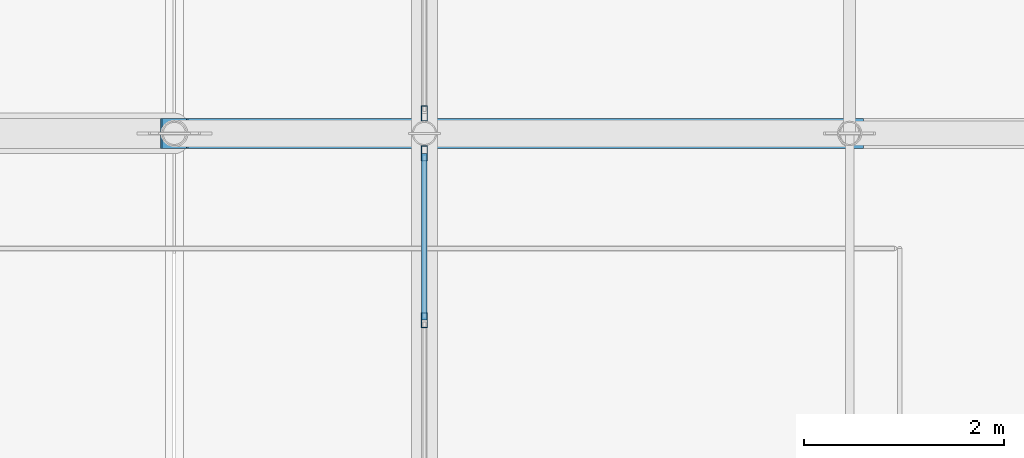
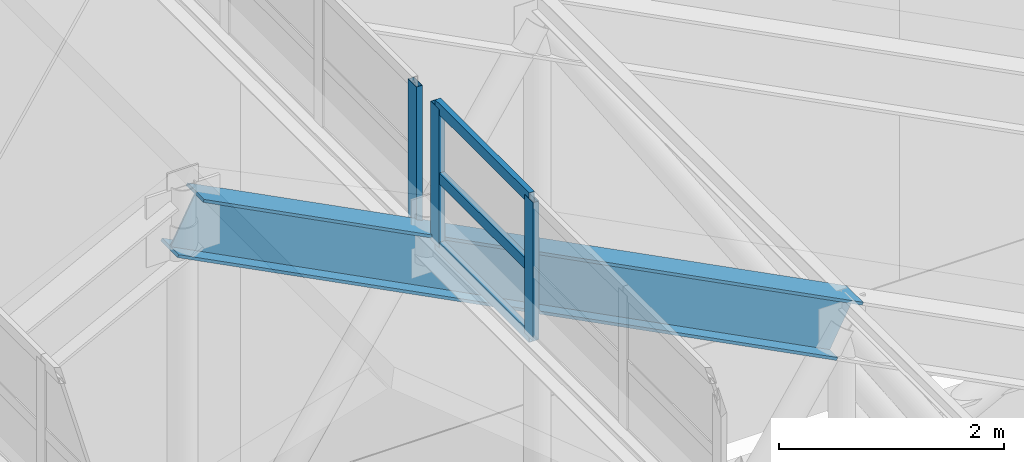
# One storey, part 50 of 84: 7 members, 2 elements without a shape of their own.
"""IFC4 building model written with IfcOpenShell, lengths in metres."""

from ifc_helpers import new_model, si_unit, direction, frame, origin, origin_2d, place, context, subcontext, project, spatial, hollow_rectangle, i_section, extrude, material, layer, layer_set, material_profile, profile_set, type_object, element, aggregate, save


model = new_model("IFC4")

# Units and contexts
model_context = context("Model", 3, precision=1e-05, world=origin(), true_north=direction((0.0, 1.0)))
body_context = subcontext(model_context, "Body", "Model", "MODEL_VIEW")
ifc_project = project(units=[si_unit("LENGTHUNIT", "METRE"), si_unit("AREAUNIT", "SQUARE_METRE"), si_unit("VOLUMEUNIT", "CUBIC_METRE"), si_unit("PLANEANGLEUNIT", "RADIAN"), si_unit("MASSUNIT", "GRAM", prefix="KILO")], contexts=[model_context])

# Site, building, storey
site_placement = place(None, origin())
site = spatial("IfcSite", under=ifc_project, at=site_placement, CompositionType="ELEMENT")
building_placement = place(site_placement, origin())
building = spatial("IfcBuilding", under=site, at=building_placement, Name="Sundgate Opera House", CompositionType="ELEMENT")
storey_placement = place(building_placement, frame((0.0, 0.0, 30.60009765625)))
storey = spatial("IfcBuildingStorey", under=building, at=storey_placement, Name="L06", CompositionType="ELEMENT", Elevation=30.60009765625)

# Curtain wall, members
ifc_material_1 = material(Name="Anodized aluminium and low-iron glass", Category="aluminium")
ifc_layer = layer(ifc_material_1, 0.169921875)
ifc_layer_set = layer_set([ifc_layer], Name="Anodized aluminium and low-iron glass")
curtain_wall_type = type_object("IfcCurtainWallType", Name="CW-LANTERN-POLY", PredefinedType="NOTDEFINED", material=ifc_layer_set)
curtain_wall_1_placement = place(storey_placement, origin())
curtain_wall_1 = element("IfcCurtainWall", 1, at=curtain_wall_1_placement, inside=storey, type_object=curtain_wall_type, Name="L06 Curtain Wall CW184", PredefinedType="NOTDEFINED")
ifc_material_2 = material(Name="Anodized aluminium EN AW-6063", Category="aluminium")
ifc_material_profile_1 = material_profile(ifc_material_2, hollow_rectangle(XDim=0.06005859375, YDim=0.14990234375, WallThickness=0.00390625, at=origin_2d()), Name="CWM 150x60x4")
ifc_profile_set_1 = profile_set([ifc_material_profile_1], Name="Anodized aluminium EN AW-6063")
member_type_1 = type_object("IfcMemberType", Name="CWM-ALU-150x60", PredefinedType="MULLION", material=ifc_profile_set_1)
member_1_placement = place(storey_placement, frame((56.5, 74.333251953125, 16.199951171875), z_axis=(0.0, 0.0, 1.0), x_axis=(1.0, 0.0, 0.0)))
member_1 = element("IfcMember", 2, at=member_1_placement, type_object=member_type_1, Name="CW184 Mullion 3", PredefinedType="MULLION", context=body_context, shape_type="SweptSolid", body=[
    extrude(hollow_rectangle(XDim=0.06005859375, YDim=0.14990234375, WallThickness=0.00390625, at=origin_2d()), origin(), (0.0, 0.0, 1.0), 1.5),
])
member_2_placement = place(storey_placement, frame((56.5, 76.0, 16.199951171875), z_axis=(0.0, 0.0, 1.0), x_axis=(1.0, 0.0, 0.0)))
member_2 = element("IfcMember", 3, at=member_2_placement, type_object=member_type_1, Name="CW184 Mullion 4", PredefinedType="MULLION", context=body_context, shape_type="SweptSolid", body=[
    extrude(hollow_rectangle(XDim=0.06005859375, YDim=0.14990234375, WallThickness=0.00390625, at=origin_2d()), origin(), (0.0, 0.0, 1.0), 1.5),
])

# Curtain wall, member
curtain_wall_2_placement = place(storey_placement, origin())
curtain_wall_2 = element("IfcCurtainWall", 4, at=curtain_wall_2_placement, inside=storey, type_object=curtain_wall_type, Name="L06 Curtain Wall CW186", PredefinedType="NOTDEFINED")
member_3_placement = place(storey_placement, frame((56.5, 76.39990234375, 16.199951171875), z_axis=(0.0, 0.0, 1.0), x_axis=(1.0, 0.0, 0.0)))
member_3 = element("IfcMember", 5, at=member_3_placement, type_object=member_type_1, Name="CW186 Mullion 1", PredefinedType="MULLION", context=body_context, shape_type="SweptSolid", body=[
    extrude(hollow_rectangle(XDim=0.06005859375, YDim=0.14990234375, WallThickness=0.00390625, at=origin_2d()), origin(), (0.0, 0.0, 1.0), 1.5),
])
aggregate(curtain_wall_2, [member_3])

# Member
ifc_material_3 = material(Name="Anodized aluminium EN AW-6063", Category="aluminium")
ifc_material_profile_2 = material_profile(ifc_material_3, hollow_rectangle(XDim=0.054931640625, YDim=0.1201171875, WallThickness=0.00390625, at=origin_2d()), Name="CWT 120x55x4")
ifc_profile_set_2 = profile_set([ifc_material_profile_2], Name="Anodized aluminium EN AW-6063")
member_type_2 = type_object("IfcMemberType", Name="CWT-ALU-120x55", PredefinedType="USERDEFINED", material=ifc_profile_set_2)
member_4_placement = place(storey_placement, frame((56.5, 74.333251953125, 16.199951171875), z_axis=(0.0, 1.0, 0.0), x_axis=(-1.0, 0.0, 0.0)))
member_4 = element("IfcMember", 6, at=member_4_placement, type_object=member_type_2, Name="CW184 Transom 7", ObjectType="TRANSOM", PredefinedType="USERDEFINED", context=body_context, shape_type="SweptSolid", body=[
    extrude(hollow_rectangle(XDim=0.054931640625, YDim=0.1201171875, WallThickness=0.00390625, at=origin_2d()), origin(), (0.0, 0.0, 1.0), 1.666748046875),
])

member_5_placement = place(storey_placement, frame((56.5, 74.333251953125, 16.949951171875), z_axis=(0.0, 1.0, 0.0), x_axis=(-1.0, 0.0, 0.0)))
member_5 = element("IfcMember", 7, at=member_5_placement, type_object=member_type_2, Name="CW184 Transom 8", ObjectType="TRANSOM", PredefinedType="USERDEFINED", context=body_context, shape_type="SweptSolid", body=[
    extrude(hollow_rectangle(XDim=0.054931640625, YDim=0.1201171875, WallThickness=0.00390625, at=origin_2d()), origin(), (0.0, 0.0, 1.0), 1.666748046875),
])

member_6_placement = place(storey_placement, frame((56.5, 74.333251953125, 17.699951171875), z_axis=(0.0, 1.0, 0.0), x_axis=(-1.0, 0.0, 0.0)))
member_6 = element("IfcMember", 8, at=member_6_placement, type_object=member_type_2, Name="CW184 Transom 9", ObjectType="TRANSOM", PredefinedType="USERDEFINED", context=body_context, shape_type="SweptSolid", body=[
    extrude(hollow_rectangle(XDim=0.054931640625, YDim=0.1201171875, WallThickness=0.00390625, at=origin_2d()), origin(), (0.0, 0.0, 1.0), 1.666748046875),
])

aggregate(curtain_wall_1, [member_1, member_2, member_4, member_5, member_6])

ifc_material_4 = material(Name="Steel S355J2", Category="steel")
ifc_material_profile_3 = material_profile(ifc_material_4, i_section(OverallWidth=0.300048828125, OverallDepth=0.60009765625, WebThickness=0.015380859375, FlangeThickness=0.030029296875, at=origin_2d()), Name="HEB 600")
ifc_profile_set_3 = profile_set([ifc_material_profile_3], Name="Steel S355J2")
member_type_3 = type_object("IfcMemberType", Name="MB-CHORD-HEB600", PredefinedType="CHORD", material=ifc_profile_set_3)
member_7_placement = place(storey_placement, frame((54.0, 76.199951171875, 17.199951171875), z_axis=(0.888960276237, 0.0, -0.457984308981), x_axis=(0.0, 1.0, 0.0)))
element("IfcMember", 9, at=member_7_placement, inside=storey, type_object=member_type_3, Name="L06 Fly-Tower Truss Top Chord M0183", PredefinedType="CHORD", context=body_context, shape_type="SweptSolid", body=[
    extrude(i_section(OverallWidth=0.300048828125, OverallDepth=0.60009765625, WebThickness=0.015380859375, FlangeThickness=0.030029296875, at=origin_2d()), origin(), (0.0, 0.0, 1.0), 7.59326171875),
])

save(model, "model.ifc")
